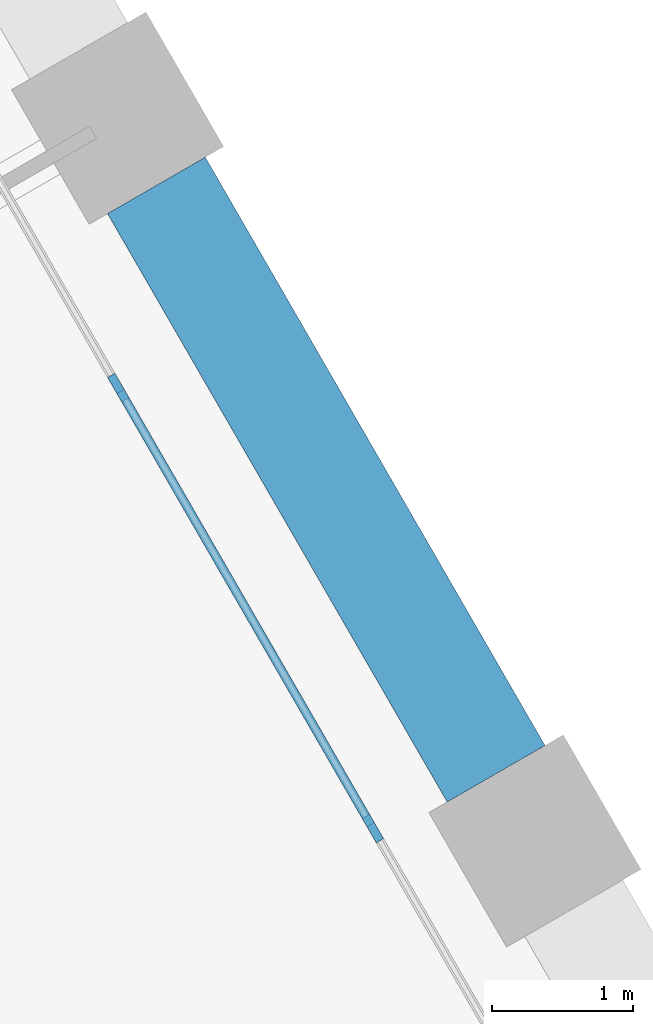
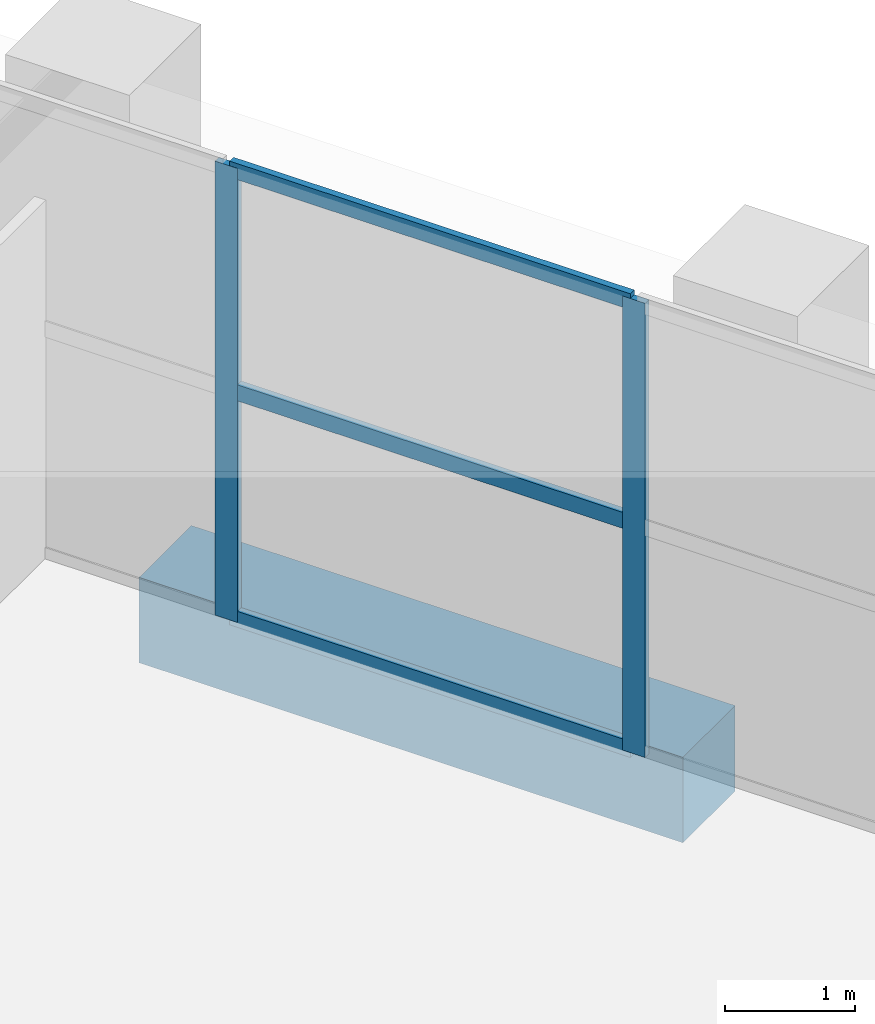
# One storey, part 14 of 38: 5 members, 1 beam, 1 element without a shape of its own.
"""IFC4 building model written with IfcOpenShell, lengths in metres."""

from ifc_helpers import new_model, si_unit, direction, frame, origin, origin_2d, place, context, subcontext, project, spatial, rectangle, extrude, material, material_profile, profile_set, type_object, element, aggregate, save


model = new_model("IFC4")

# Units and contexts
model_context = context("Model", 3, precision=1e-05, world=origin(), true_north=direction((0.0, 1.0)))
body_context = subcontext(model_context, "Body", "Model", "MODEL_VIEW")
ifc_project = project(units=[si_unit("LENGTHUNIT", "METRE"), si_unit("AREAUNIT", "SQUARE_METRE"), si_unit("VOLUMEUNIT", "CUBIC_METRE"), si_unit("PLANEANGLEUNIT", "RADIAN"), si_unit("MASSUNIT", "GRAM", prefix="KILO")], contexts=[model_context])

# Site, building, storey
site_placement = place(None, origin())
site = spatial("IfcSite", under=ifc_project, at=site_placement, CompositionType="ELEMENT")
building_placement = place(site_placement, origin())
building = spatial("IfcBuilding", under=site, at=building_placement, Name="Frailejon Research Tower", CompositionType="ELEMENT")
storey_placement = place(building_placement, frame((0.0, 0.0, 5.60009765625)))
storey = spatial("IfcBuildingStorey", under=building, at=storey_placement, Name="L01", CompositionType="ELEMENT", Elevation=5.60009765625)

# Beam
ifc_material_1 = material(Name="Concrete C60/75", Category="concrete")
ifc_material_profile_1 = material_profile(ifc_material_1, rectangle(XDim=0.800048828125, YDim=0.800048828125, at=origin_2d()), Name="Base ring beam")
ifc_profile_set_1 = profile_set([ifc_material_profile_1], Name="Concrete C60/75")
beam_type = type_object("IfcBeamType", Name="Base ring beam", PredefinedType="BEAM", material=ifc_profile_set_1)
beam_placement = place(storey_placement, frame((29.423583984375, 21.037109375, -0.75), z_axis=(-0.50000634465, 0.866021740668, 0.0), x_axis=(-0.866021740668, -0.50000634465, 0.0)))
element("IfcBeam", 1, at=beam_placement, inside=storey, type_object=beam_type, Name="Base ring beam", PredefinedType="BEAM", context=body_context, shape_type="SweptSolid", body=[
    extrude(rectangle(XDim=0.800048828125, YDim=0.800048828125, at=origin_2d()), origin(), (0.0, 0.0, 1.0), 4.81396484375),
])

# Curtain wall, members
ifc_material_2 = material(Name="Aluminium curtain wall", Category="aluminium")
curtain_wall_type = type_object("IfcCurtainWallType", Name="Podium stick curtain wall system", PredefinedType="NOTDEFINED", material=ifc_material_2)
curtain_wall_placement = place(storey_placement, origin())
curtain_wall = element("IfcCurtainWall", 2, at=curtain_wall_placement, inside=storey, type_object=curtain_wall_type, Name="Curtain wall L01", PredefinedType="NOTDEFINED")
ifc_material_3 = material(Name="Aluminium extrusion", Category="aluminium")
ifc_material_profile_2 = material_profile(ifc_material_3, rectangle(XDim=0.06005859375, YDim=0.199951171875, at=origin_2d()), Name="Podium stick curtain wall mullion 60x200")
ifc_profile_set_2 = profile_set([ifc_material_profile_2], Name="Aluminium extrusion")
member_type_1 = type_object("IfcMemberType", Name="Podium stick curtain wall mullion 60x200", PredefinedType="MULLION", material=ifc_profile_set_2)
member_1_placement = place(storey_placement, frame((28.550537109375, 20.649169921875, 0.0), z_axis=(0.0, 0.0, 1.0), x_axis=(-0.86602632934, -0.499998396888, 0.0)))
member_1 = element("IfcMember", 3, at=member_1_placement, type_object=member_type_1, Name="CW2-022 mullion 6", PredefinedType="MULLION", context=body_context, shape_type="SweptSolid", body=[
    extrude(rectangle(XDim=0.06005859375, YDim=0.199951171875, at=origin_2d()), origin(), (0.0, 0.0, 1.0), 4.25),
])
member_2_placement = place(storey_placement, frame((26.74658203125, 23.7734375, 0.0), z_axis=(0.0, 0.0, 1.0), x_axis=(-0.86602632934, -0.499998396888, 0.0)))
member_2 = element("IfcMember", 4, at=member_2_placement, type_object=member_type_1, Name="CW2-022 mullion 7", PredefinedType="MULLION", context=body_context, shape_type="SweptSolid", body=[
    extrude(rectangle(XDim=0.06005859375, YDim=0.199951171875, at=origin_2d()), origin(), (0.0, 0.0, 1.0), 4.25),
])
ifc_material_4 = material(Name="Aluminium extrusion", Category="aluminium")
ifc_material_profile_3 = material_profile(ifc_material_4, rectangle(XDim=0.06005859375, YDim=0.14990234375, at=origin_2d()), Name="Podium stick curtain wall transom 60x150")
ifc_profile_set_3 = profile_set([ifc_material_profile_3], Name="Aluminium extrusion")
member_type_2 = type_object("IfcMemberType", Name="Podium stick curtain wall transom 60x150", PredefinedType="USERDEFINED", material=ifc_profile_set_3)
member_3_placement = place(storey_placement, frame((28.535400390625, 20.67529296875, 0.02978515625), z_axis=(-0.500010404316, 0.866019396766, 0.0), x_axis=(-0.866019396766, -0.500010404316, 0.0)))
member_3 = element("IfcMember", 5, at=member_3_placement, type_object=member_type_2, Name="CW2-022 transom 6.1", ObjectType="TRANSOM", PredefinedType="USERDEFINED", context=body_context, shape_type="SweptSolid", body=[
    extrude(rectangle(XDim=0.06005859375, YDim=0.14990234375, at=origin_2d()), origin(), (0.0, 0.0, 1.0), 3.54736328125),
])
member_4_placement = place(storey_placement, frame((28.535400390625, 20.67529296875, 2.14990234375), z_axis=(-0.500010404316, 0.866019396766, 0.0), x_axis=(-0.866019396766, -0.500010404316, 0.0)))
member_4 = element("IfcMember", 6, at=member_4_placement, type_object=member_type_2, Name="CW2-022 transom 6.2", ObjectType="TRANSOM", PredefinedType="USERDEFINED", context=body_context, shape_type="SweptSolid", body=[
    extrude(rectangle(XDim=0.06005859375, YDim=0.14990234375, at=origin_2d()), origin(), (0.0, 0.0, 1.0), 3.54736328125),
])
member_5_placement = place(storey_placement, frame((28.535400390625, 20.67529296875, 4.219970703125), z_axis=(-0.500010404316, 0.866019396766, 0.0), x_axis=(-0.866019396766, -0.500010404316, 0.0)))
member_5 = element("IfcMember", 7, at=member_5_placement, type_object=member_type_2, Name="CW2-022 transom 6.3", ObjectType="TRANSOM", PredefinedType="USERDEFINED", context=body_context, shape_type="SweptSolid", body=[
    extrude(rectangle(XDim=0.06005859375, YDim=0.14990234375, at=origin_2d()), origin(), (0.0, 0.0, 1.0), 3.54736328125),
])
aggregate(curtain_wall, [member_1, member_2, member_3, member_4, member_5])

save(model, "model.ifc")
